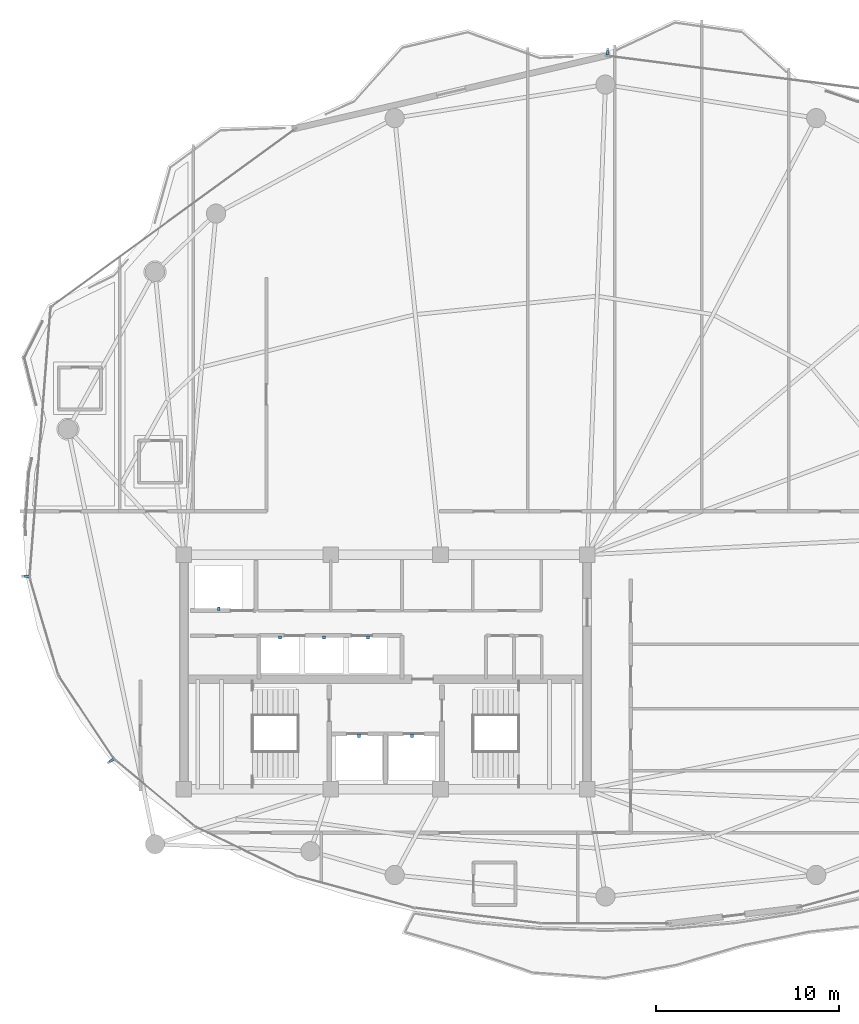
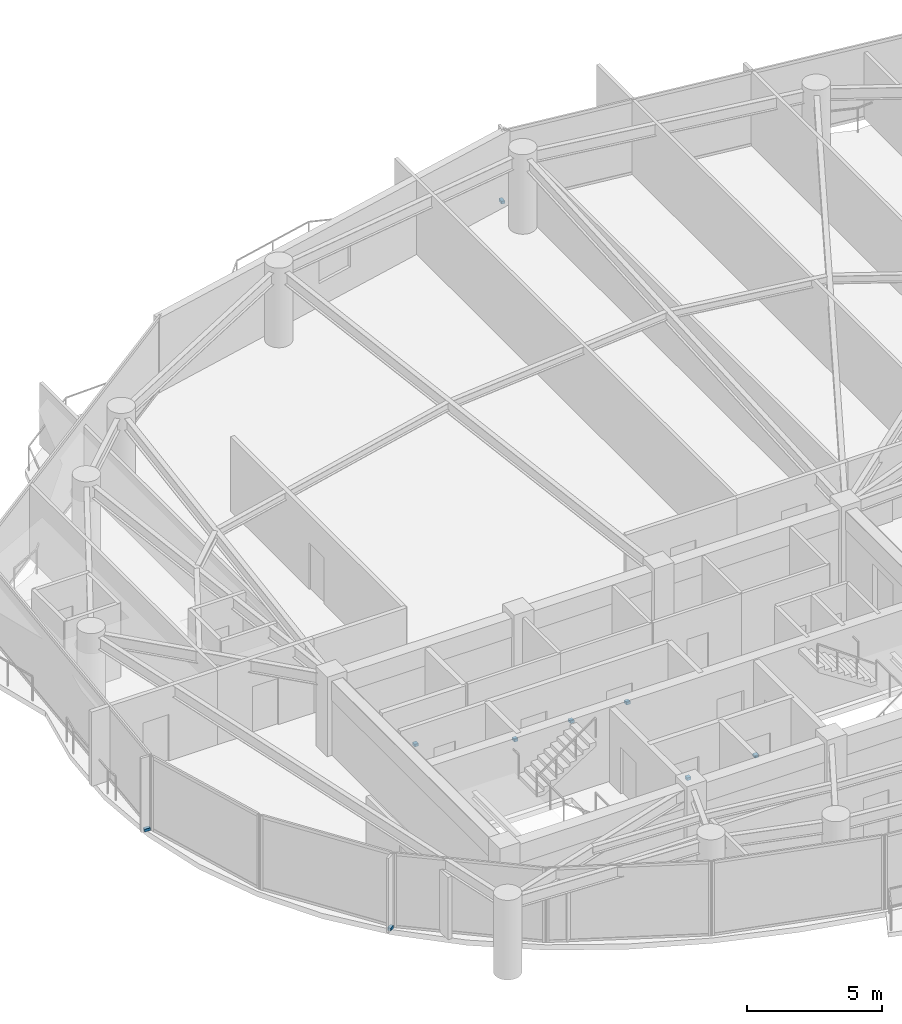
# One storey, part 28 of 31: 9 discrete accessories.
"""IFC4 building model written with IfcOpenShell, lengths in metres."""

from ifc_helpers import new_model, si_unit, direction, frame, origin, origin_2d, place, context, subcontext, project, spatial, rectangle, extrude, material, type_object, element, save


model = new_model("IFC4")

# Units and contexts
model_context = context("Model", 3, precision=1e-05, world=origin(), true_north=direction((0.0, 1.0)))
body_context = subcontext(model_context, "Body", "Model", "MODEL_VIEW")
ifc_project = project(units=[si_unit("LENGTHUNIT", "METRE"), si_unit("AREAUNIT", "SQUARE_METRE"), si_unit("VOLUMEUNIT", "CUBIC_METRE"), si_unit("PLANEANGLEUNIT", "RADIAN"), si_unit("MASSUNIT", "GRAM", prefix="KILO")], contexts=[model_context])

# Site, building, storey
site_placement = place(None, origin())
site = spatial("IfcSite", under=ifc_project, at=site_placement, CompositionType="ELEMENT")
building_placement = place(site_placement, origin())
building = spatial("IfcBuilding", under=site, at=building_placement, Name="Kazevale Care Tower and Concert Hall", CompositionType="ELEMENT")
storey_placement = place(building_placement, frame((0.0, 0.0, 206.39990234375)))
storey = spatial("IfcBuildingStorey", under=building, at=storey_placement, Name="L54", CompositionType="ELEMENT", Elevation=206.39990234375)

# Discrete accessories
ifc_material = material(Name="Stainless Steel 316", Category="steel")
discrete_accessory_type_1 = type_object("IfcDiscreteAccessoryType", Name="Facade Fin Stainless Anchor Bracket BRK-1", PredefinedType="BRACKET", material=ifc_material)
for number, where, z_axis, x_axis, name in (
    (1, (18.04443359375, 25.1689453125, 0.0), (0.0, 0.0, 1.0), (-0.832147748683, -0.554553986878, 0.0), "cw:L54:f11:brk"),
    (2, (13.41259765625, 35.210205078125, 0.0), (0.0, 0.0, 1.0), (-0.996985422604, 0.077589091471, 0.0), "cw:L54:f13:brk"),
    (3, (45.10546875, 63.785400390625, 0.0), (0.0, 0.0, 1.0), (0.128103248172, 0.991760837, 0.0), "cw:L54:f16:brk"),
):
    element("IfcDiscreteAccessory", number, at=place(storey_placement, frame(where, z_axis=z_axis, x_axis=x_axis)), inside=storey, type_object=discrete_accessory_type_1, Name=name, PredefinedType="BRACKET", context=body_context, shape_type="SweptSolid", body=[
        extrude(rectangle(XDim=0.239990234375, YDim=0.139892578125, at=origin_2d()), origin(), (0.0, 0.0, 1.0), 0.1201171875),
    ])
discrete_accessory_type_2 = type_object("IfcDiscreteAccessoryType", Name="Hoistway Guide-Rail Wall Bracket HBRK-1", PredefinedType="BRACKET", material=ifc_material)
for number, where, z_axis, x_axis, name in (
    (4, (31.550048828125, 26.52001953125, 1.239990234375), (0.0, 0.0, 1.0), (1.0, 0.0, 0.0), "hbrk:FFL-1:L54"),
    (5, (34.449951171875, 26.52001953125, 1.239990234375), (0.0, 0.0, 1.0), (1.0, 0.0, 0.0), "hbrk:FFL-2:L54"),
    (6, (23.89990234375, 33.449951171875, 1.239990234375), (0.0, 0.0, 1.0), (1.0, 0.0, 0.0), "hbrk:SVL-1:L54"),
    (7, (27.25, 31.8798828125, 1.239990234375), (0.0, 0.0, 1.0), (1.0, 0.0, 0.0), "hbrk:PH-1:L54"),
    (8, (29.64990234375, 31.8798828125, 1.239990234375), (0.0, 0.0, 1.0), (1.0, 0.0, 0.0), "hbrk:PH-2:L54"),
    (9, (32.050048828125, 31.8798828125, 1.239990234375), (0.0, 0.0, 1.0), (1.0, 0.0, 0.0), "hbrk:PH-3:L54"),
):
    element("IfcDiscreteAccessory", number, at=place(storey_placement, frame(where, z_axis=z_axis, x_axis=x_axis)), inside=storey, type_object=discrete_accessory_type_2, Name=name, PredefinedType="BRACKET", context=body_context, shape_type="SweptSolid", body=[
        extrude(rectangle(XDim=0.159912109375, YDim=0.179931640625, at=origin_2d()), origin(), (0.0, 0.0, 1.0), 0.1201171875),
    ])

save(model, "model.ifc")
